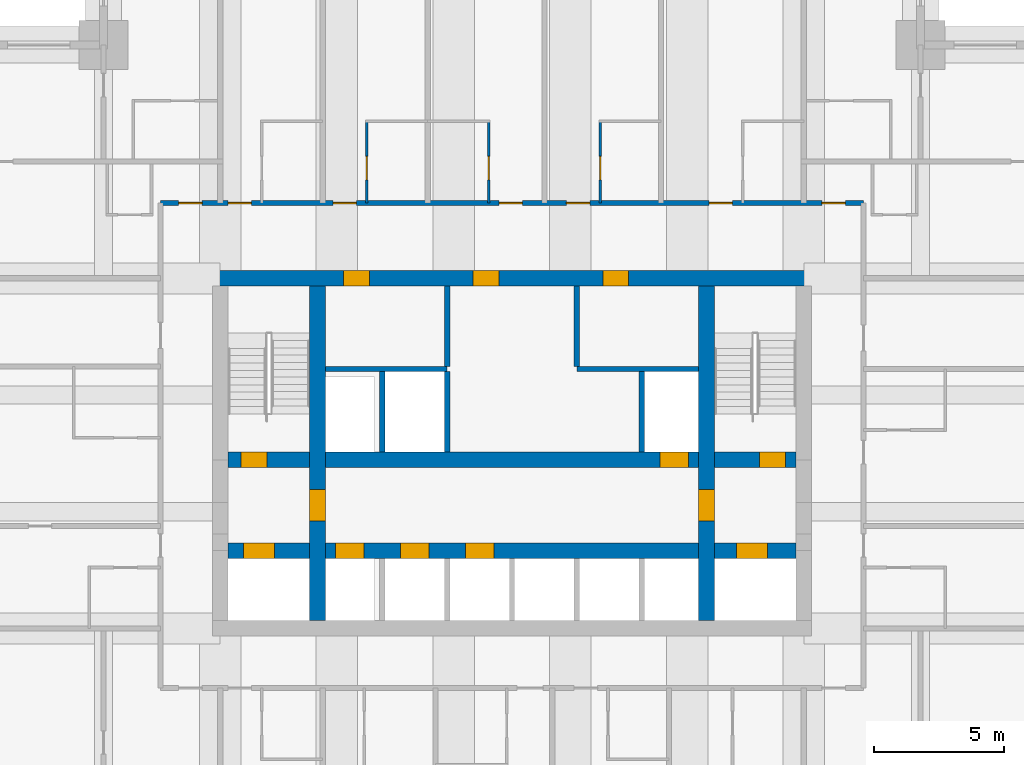
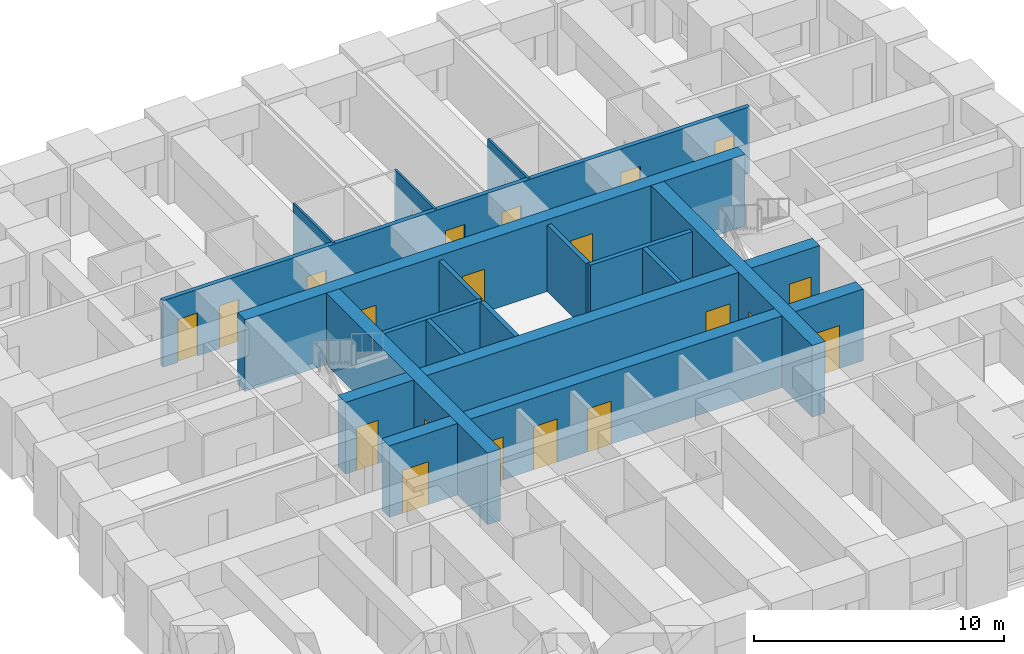
# One storey, part 4 of 8: 23 doors, 16 walls, 23 openings.
"""IFC4 building model written with IfcOpenShell, lengths in metres."""

from ifc_helpers import new_model, si_unit, direction, frame, frame_2d, origin, place, context, subcontext, project, spatial, rectangle, extrude, material, layer, layer_set, type_object, element, fill, save


model = new_model("IFC4")

# Units and contexts
model_context = context("Model", 3, precision=1e-05, world=origin(), true_north=direction((0.0, 1.0)))
body_context = subcontext(model_context, "Body", "Model", "MODEL_VIEW")
ifc_project = project(units=[si_unit("LENGTHUNIT", "METRE"), si_unit("AREAUNIT", "SQUARE_METRE"), si_unit("VOLUMEUNIT", "CUBIC_METRE"), si_unit("PLANEANGLEUNIT", "RADIAN"), si_unit("MASSUNIT", "GRAM", prefix="KILO")], contexts=[model_context])

# Site, building, storey
site_placement = place(None, origin())
site = spatial("IfcSite", under=ifc_project, at=site_placement, CompositionType="ELEMENT")
building_placement = place(site_placement, origin())
building = spatial("IfcBuilding", under=site, at=building_placement, Name="Kilele Tower Hotel", CompositionType="ELEMENT")
storey_placement = place(building_placement, frame((0.0, 0.0, 57.699951171875)))
storey = spatial("IfcBuildingStorey", under=building, at=storey_placement, Name="L13", CompositionType="ELEMENT", Elevation=57.699951171875)

# Wall, opening, door
ifc_material_1 = material(Name="Moisture-resistant board")
ifc_layer_1 = layer(ifc_material_1, 0.10009765625)
ifc_layer_set_1 = layer_set([ifc_layer_1], Name="Moisture-resistant board")
wall_type_1 = type_object("IfcWallType", Name="Bathroom partition 100", PredefinedType="PLUMBINGWALL", material=ifc_layer_set_1)
wall_1_placement = place(storey_placement, frame((19.14990234375, 29.89990234375, 0.0), z_axis=(0.0, 0.0, 1.0), x_axis=(0.0, 1.0, 0.0)))
wall_1 = element("IfcWall", 1, at=wall_1_placement, inside=storey, type_object=wall_type_1, Name="Bathroom partition 100 L13", PredefinedType="PLUMBINGWALL", context=body_context, shape_type="SweptSolid", body=[
    extrude(rectangle(XDim=3.2001953125, YDim=0.10009765625, at=frame_2d((1.60009765625, 0.0))), origin(), (0.0, 0.0, 1.0), 3.25),
])
opening_1_placement = place(wall_1_placement, frame((0.89990234375, 0.0, 0.0)))
opening_1 = element("IfcOpeningElement", 2, at=opening_1_placement, cuts=wall_1, Name="Opening D2A", PredefinedType="OPENING", context=body_context, shape_type="SweptSolid", body=[
    extrude(rectangle(XDim=0.89990234375, YDim=2.10009765625, at=frame_2d((0.449951171875, 1.050048828125))), frame((0.0, 0.06005859375, 0.0), z_axis=(0.0, -1.0, 0.0), x_axis=(1.0, 0.0, 0.0)), (0.0, 0.0, 1.0), 0.1201171875),
])
ifc_material_2 = material(Name="Timber door leaf in hardwood frame", Category="wood")
door_type_1 = type_object("IfcDoorType", Name="Bathroom door 900", OperationType="SINGLE_SWING_LEFT", PredefinedType="DOOR", material=ifc_material_2)
door_1_placement = place(opening_1_placement, origin())
door_1 = element("IfcDoor", 3, at=door_1_placement, inside=storey, type_object=door_type_1, Name="Bathroom door 1310B", OperationType="SINGLE_SWING_LEFT", OverallHeight=2.10009765625, OverallWidth=0.89990234375, PredefinedType="DOOR", context=body_context, shape_type="SweptSolid", body=[
    extrude(rectangle(XDim=0.89990234375, YDim=2.10009765625, at=frame_2d((0.449951171875, 1.050048828125))), frame((0.0, 0.02490234375, 0.0), z_axis=(0.0, -1.0, 0.0), x_axis=(1.0, 0.0, 0.0)), (0.0, 0.0, 1.0), 0.050048828125),
])
fill(opening_1, door_1)

wall_2_placement = place(storey_placement, frame((23.85009765625, 29.89990234375, 0.0), z_axis=(0.0, 0.0, 1.0), x_axis=(0.0, 1.0, 0.0)))
wall_2 = element("IfcWall", 4, at=wall_2_placement, inside=storey, type_object=wall_type_1, Name="Bathroom partition 100 L13", PredefinedType="PLUMBINGWALL", context=body_context, shape_type="SweptSolid", body=[
    extrude(rectangle(XDim=3.2001953125, YDim=0.10009765625, at=frame_2d((1.60009765625, 0.0))), origin(), (0.0, 0.0, 1.0), 3.25),
])
opening_2_placement = place(wall_2_placement, frame((1.7998046875, 0.0, 0.0), z_axis=(0.0, 0.0, 1.0), x_axis=(-1.0, 0.0, 0.0)))
opening_2 = element("IfcOpeningElement", 5, at=opening_2_placement, cuts=wall_2, Name="Opening D2A", PredefinedType="OPENING", context=body_context, shape_type="SweptSolid", body=[
    extrude(rectangle(XDim=0.89990234375, YDim=2.10009765625, at=frame_2d((0.449951171875, 1.050048828125))), frame((0.0, 0.06005859375, 0.0), z_axis=(0.0, -1.0, 0.0), x_axis=(1.0, 0.0, 0.0)), (0.0, 0.0, 1.0), 0.1201171875),
])
door_2_placement = place(opening_2_placement, origin())
door_2 = element("IfcDoor", 6, at=door_2_placement, inside=storey, type_object=door_type_1, Name="Bathroom door 1311B", OperationType="SINGLE_SWING_RIGHT", OverallHeight=2.10009765625, OverallWidth=0.89990234375, PredefinedType="DOOR", context=body_context, shape_type="SweptSolid", body=[
    extrude(rectangle(XDim=0.89990234375, YDim=2.10009765625, at=frame_2d((0.449951171875, 1.050048828125))), frame((0.0, 0.02490234375, 0.0), z_axis=(0.0, -1.0, 0.0), x_axis=(1.0, 0.0, 0.0)), (0.0, 0.0, 1.0), 0.050048828125),
])
fill(opening_2, door_2)

wall_3_placement = place(storey_placement, frame((28.14990234375, 29.89990234375, 0.0), z_axis=(0.0, 0.0, 1.0), x_axis=(0.0, 1.0, 0.0)))
wall_3 = element("IfcWall", 7, at=wall_3_placement, inside=storey, type_object=wall_type_1, Name="Bathroom partition 100 L13", PredefinedType="PLUMBINGWALL", context=body_context, shape_type="SweptSolid", body=[
    extrude(rectangle(XDim=3.2001953125, YDim=0.10009765625, at=frame_2d((1.60009765625, 0.0))), origin(), (0.0, 0.0, 1.0), 3.25),
])
opening_3_placement = place(wall_3_placement, frame((0.89990234375, 0.0, 0.0)))
opening_3 = element("IfcOpeningElement", 8, at=opening_3_placement, cuts=wall_3, Name="Opening D2A", PredefinedType="OPENING", context=body_context, shape_type="SweptSolid", body=[
    extrude(rectangle(XDim=0.89990234375, YDim=2.10009765625, at=frame_2d((0.449951171875, 1.050048828125))), frame((0.0, 0.06005859375, 0.0), z_axis=(0.0, -1.0, 0.0), x_axis=(1.0, 0.0, 0.0)), (0.0, 0.0, 1.0), 0.1201171875),
])
door_3_placement = place(opening_3_placement, origin())
door_3 = element("IfcDoor", 9, at=door_3_placement, inside=storey, type_object=door_type_1, Name="Bathroom door 1312B", OperationType="SINGLE_SWING_LEFT", OverallHeight=2.10009765625, OverallWidth=0.89990234375, PredefinedType="DOOR", context=body_context, shape_type="SweptSolid", body=[
    extrude(rectangle(XDim=0.89990234375, YDim=2.10009765625, at=frame_2d((0.449951171875, 1.050048828125))), frame((0.0, 0.02490234375, 0.0), z_axis=(0.0, -1.0, 0.0), x_axis=(1.0, 0.0, 0.0)), (0.0, 0.0, 1.0), 0.050048828125),
])
fill(opening_3, door_3)

# Wall, openings, doors
ifc_material_3 = material(Name="Concrete C60/75", Category="concrete")
ifc_layer_2 = layer(ifc_material_3, 0.60009765625)
ifc_layer_set_2 = layer_set([ifc_layer_2], Name="Concrete C60/75")
wall_type_2 = type_object("IfcWallType", Name="Core wall 600 C60/75", PredefinedType="SHEAR", material=ifc_layer_set_2)
wall_4_placement = place(storey_placement, frame((36.300048828125, 27.0, 0.0), z_axis=(0.0, 0.0, 1.0), x_axis=(-1.0, 0.0, 0.0)))
wall_4 = element("IfcWall", 10, at=wall_4_placement, inside=storey, type_object=wall_type_2, Name="Core wall N L13", PredefinedType="SHEAR", context=body_context, shape_type="SweptSolid", body=[
    extrude(rectangle(XDim=23.10009765625, YDim=0.60009765625, at=frame_2d((11.550048828125, 0.0))), origin(), (0.0, 0.0, 1.0), 3.5),
])
opening_4_placement = place(wall_4_placement, frame((17.050048828125, 0.0, 0.0)))
opening_4 = element("IfcOpeningElement", 11, at=opening_4_placement, cuts=wall_4, Name="Opening D6", PredefinedType="OPENING", context=body_context, shape_type="SweptSolid", body=[
    extrude(rectangle(XDim=1.0, YDim=2.10009765625, at=frame_2d((0.5, 1.050048828125))), frame((0.0, 0.31005859375, 0.0), z_axis=(0.0, -1.0, 0.0), x_axis=(1.0, 0.0, 0.0)), (0.0, 0.0, 1.0), 0.6201171875),
])
opening_5_placement = place(wall_4_placement, frame((12.050048828125, 0.0, 0.0)))
opening_5 = element("IfcOpeningElement", 12, at=opening_5_placement, cuts=wall_4, Name="Opening D6", PredefinedType="OPENING", context=body_context, shape_type="SweptSolid", body=[
    extrude(rectangle(XDim=1.0, YDim=2.10009765625, at=frame_2d((0.5, 1.050048828125))), frame((0.0, 0.31005859375, 0.0), z_axis=(0.0, -1.0, 0.0), x_axis=(1.0, 0.0, 0.0)), (0.0, 0.0, 1.0), 0.6201171875),
])
opening_6_placement = place(wall_4_placement, frame((7.050048828125, 0.0, 0.0)))
opening_6 = element("IfcOpeningElement", 13, at=opening_6_placement, cuts=wall_4, Name="Opening D6", PredefinedType="OPENING", context=body_context, shape_type="SweptSolid", body=[
    extrude(rectangle(XDim=1.0, YDim=2.10009765625, at=frame_2d((0.5, 1.050048828125))), frame((0.0, 0.31005859375, 0.0), z_axis=(0.0, -1.0, 0.0), x_axis=(1.0, 0.0, 0.0)), (0.0, 0.0, 1.0), 0.6201171875),
])
ifc_material_4 = material(Name="Timber door leaf in hardwood frame", Category="wood")
door_type_2 = type_object("IfcDoorType", Name="Riser door 1000", OperationType="SINGLE_SWING_LEFT", PredefinedType="DOOR", material=ifc_material_4)
door_4_placement = place(opening_4_placement, origin())
door_4 = element("IfcDoor", 14, at=door_4_placement, inside=storey, type_object=door_type_2, Name="Service riser door L13", OperationType="SINGLE_SWING_RIGHT", OverallHeight=2.10009765625, OverallWidth=1.0, PredefinedType="DOOR", context=body_context, shape_type="SweptSolid", body=[
    extrude(rectangle(XDim=1.0, YDim=2.10009765625, at=frame_2d((0.5, 1.050048828125))), frame((0.0, 0.2998046875, 0.0), z_axis=(0.0, -1.0, 0.0), x_axis=(1.0, 0.0, 0.0)), (0.0, 0.0, 1.0), 0.599609375),
])
fill(opening_4, door_4)
door_5_placement = place(opening_5_placement, origin())
door_5 = element("IfcDoor", 15, at=door_5_placement, inside=storey, type_object=door_type_2, Name="Housekeeping linen room door L13", OperationType="SINGLE_SWING_RIGHT", OverallHeight=2.10009765625, OverallWidth=1.0, PredefinedType="DOOR", context=body_context, shape_type="SweptSolid", body=[
    extrude(rectangle(XDim=1.0, YDim=2.10009765625, at=frame_2d((0.5, 1.050048828125))), frame((0.0, 0.2998046875, 0.0), z_axis=(0.0, -1.0, 0.0), x_axis=(1.0, 0.0, 0.0)), (0.0, 0.0, 1.0), 0.599609375),
])
fill(opening_5, door_5)
door_6_placement = place(opening_6_placement, origin())
door_6 = element("IfcDoor", 16, at=door_6_placement, inside=storey, type_object=door_type_2, Name="Electrical riser door L13", OperationType="SINGLE_SWING_RIGHT", OverallHeight=2.10009765625, OverallWidth=1.0, PredefinedType="DOOR", context=body_context, shape_type="SweptSolid", body=[
    extrude(rectangle(XDim=1.0, YDim=2.10009765625, at=frame_2d((0.5, 1.050048828125))), frame((0.0, 0.2998046875, 0.0), z_axis=(0.0, -1.0, 0.0), x_axis=(1.0, 0.0, 0.0)), (0.0, 0.0, 1.0), 0.599609375),
])
fill(opening_6, door_6)

# Wall, opening, door
wall_5_placement = place(storey_placement, frame((17.25, 13.800048828125, 0.0), z_axis=(0.0, 0.0, 1.0), x_axis=(0.0, 1.0, 0.0)))
wall_5 = element("IfcWall", 17, at=wall_5_placement, inside=storey, type_object=wall_type_2, Name="Core wall IW L13", PredefinedType="SHEAR", context=body_context, shape_type="SweptSolid", body=[
    extrude(rectangle(XDim=12.89990234375, YDim=0.60009765625, at=frame_2d((6.449951171875, 0.0))), origin(), (0.0, 0.0, 1.0), 3.5),
])
opening_7_placement = place(wall_5_placement, frame((3.85009765625, 0.0, 0.0)))
opening_7 = element("IfcOpeningElement", 18, at=opening_7_placement, cuts=wall_5, Name="Opening D4", PredefinedType="OPENING", context=body_context, shape_type="SweptSolid", body=[
    extrude(rectangle(XDim=1.199951171875, YDim=2.10009765625, at=frame_2d((0.60009765625, 1.050048828125))), frame((0.0, 0.31005859375, 0.0), z_axis=(0.0, -1.0, 0.0), x_axis=(1.0, 0.0, 0.0)), (0.0, 0.0, 1.0), 0.6201171875),
])
ifc_material_5 = material(Name="Timber door leaf in hardwood frame", Category="wood")
door_type_3 = type_object("IfcDoorType", Name="Firefighting lobby door 1200", OperationType="SINGLE_SWING_LEFT", PredefinedType="DOOR", material=ifc_material_5)
door_7_placement = place(opening_7_placement, origin())
door_7 = element("IfcDoor", 19, at=door_7_placement, inside=storey, type_object=door_type_3, Name="Lobby door L13", OperationType="SINGLE_SWING_LEFT", OverallHeight=2.10009765625, OverallWidth=1.199951171875, PredefinedType="DOOR", context=body_context, shape_type="SweptSolid", body=[
    extrude(rectangle(XDim=1.199951171875, YDim=2.10009765625, at=frame_2d((0.60009765625, 1.050048828125))), frame((0.0, 0.2998046875, 0.0), z_axis=(0.0, -1.0, 0.0), x_axis=(1.0, 0.0, 0.0)), (0.0, 0.0, 1.0), 0.599609375),
])
fill(opening_7, door_7)

wall_6_placement = place(storey_placement, frame((32.25, 13.800048828125, 0.0), z_axis=(0.0, 0.0, 1.0), x_axis=(0.0, 1.0, 0.0)))
wall_6 = element("IfcWall", 20, at=wall_6_placement, inside=storey, type_object=wall_type_2, Name="Core wall IE L13", PredefinedType="SHEAR", context=body_context, shape_type="SweptSolid", body=[
    extrude(rectangle(XDim=12.89990234375, YDim=0.60009765625, at=frame_2d((6.449951171875, 0.0))), origin(), (0.0, 0.0, 1.0), 3.5),
])
opening_8_placement = place(wall_6_placement, frame((5.050048828125, 0.0, 0.0), z_axis=(0.0, 0.0, 1.0), x_axis=(-1.0, 0.0, 0.0)))
opening_8 = element("IfcOpeningElement", 21, at=opening_8_placement, cuts=wall_6, Name="Opening D4", PredefinedType="OPENING", context=body_context, shape_type="SweptSolid", body=[
    extrude(rectangle(XDim=1.199951171875, YDim=2.10009765625, at=frame_2d((0.60009765625, 1.050048828125))), frame((0.0, 0.31005859375, 0.0), z_axis=(0.0, -1.0, 0.0), x_axis=(1.0, 0.0, 0.0)), (0.0, 0.0, 1.0), 0.6201171875),
])
door_8_placement = place(opening_8_placement, origin())
door_8 = element("IfcDoor", 22, at=door_8_placement, inside=storey, type_object=door_type_3, Name="Lobby door L13", OperationType="SINGLE_SWING_RIGHT", OverallHeight=2.10009765625, OverallWidth=1.199951171875, PredefinedType="DOOR", context=body_context, shape_type="SweptSolid", body=[
    extrude(rectangle(XDim=1.199951171875, YDim=2.10009765625, at=frame_2d((0.60009765625, 1.050048828125))), frame((0.0, 0.2998046875, 0.0), z_axis=(0.0, -1.0, 0.0), x_axis=(1.0, 0.0, 0.0)), (0.0, 0.0, 1.0), 0.599609375),
])
fill(opening_8, door_8)

# Wall, openings, doors
wall_7_placement = place(storey_placement, frame((13.800048828125, 16.5, 0.0), z_axis=(0.0, 0.0, 1.0), x_axis=(1.0, 0.0, 0.0)))
wall_7 = element("IfcWall", 23, at=wall_7_placement, inside=storey, type_object=wall_type_2, Name="Core wall LS L13", PredefinedType="SHEAR", context=body_context, shape_type="SweptSolid", body=[
    extrude(rectangle(XDim=21.89990234375, YDim=0.60009765625, at=frame_2d((10.949951171875, 0.0))), origin(), (0.0, 0.0, 1.0), 3.5),
])
opening_9_placement = place(wall_7_placement, frame((4.14990234375, 0.0, 0.0)))
opening_9 = element("IfcOpeningElement", 24, at=opening_9_placement, cuts=wall_7, Name="Opening LD1", PredefinedType="OPENING", context=body_context, shape_type="SweptSolid", body=[
    extrude(rectangle(XDim=1.10009765625, YDim=2.10009765625, at=frame_2d((0.550048828125, 1.050048828125))), frame((0.0, 0.31005859375, 0.0), z_axis=(0.0, -1.0, 0.0), x_axis=(1.0, 0.0, 0.0)), (0.0, 0.0, 1.0), 0.6201171875),
])
opening_10_placement = place(wall_7_placement, frame((6.64990234375, 0.0, 0.0)))
opening_10 = element("IfcOpeningElement", 25, at=opening_10_placement, cuts=wall_7, Name="Opening LD1", PredefinedType="OPENING", context=body_context, shape_type="SweptSolid", body=[
    extrude(rectangle(XDim=1.10009765625, YDim=2.10009765625, at=frame_2d((0.550048828125, 1.050048828125))), frame((0.0, 0.31005859375, 0.0), z_axis=(0.0, -1.0, 0.0), x_axis=(1.0, 0.0, 0.0)), (0.0, 0.0, 1.0), 0.6201171875),
])
opening_11_placement = place(wall_7_placement, frame((9.14990234375, 0.0, 0.0)))
opening_11 = element("IfcOpeningElement", 26, at=opening_11_placement, cuts=wall_7, Name="Opening LD1", PredefinedType="OPENING", context=body_context, shape_type="SweptSolid", body=[
    extrude(rectangle(XDim=1.10009765625, YDim=2.10009765625, at=frame_2d((0.550048828125, 1.050048828125))), frame((0.0, 0.31005859375, 0.0), z_axis=(0.0, -1.0, 0.0), x_axis=(1.0, 0.0, 0.0)), (0.0, 0.0, 1.0), 0.6201171875),
])
opening_12_placement = place(wall_7_placement, frame((0.60009765625, 0.0, 0.0)))
opening_12 = element("IfcOpeningElement", 27, at=opening_12_placement, cuts=wall_7, Name="Opening LD2", PredefinedType="OPENING", context=body_context, shape_type="SweptSolid", body=[
    extrude(rectangle(XDim=1.199951171875, YDim=2.10009765625, at=frame_2d((0.60009765625, 1.050048828125))), frame((0.0, 0.31005859375, 0.0), z_axis=(0.0, -1.0, 0.0), x_axis=(1.0, 0.0, 0.0)), (0.0, 0.0, 1.0), 0.6201171875),
])
opening_13_placement = place(wall_7_placement, frame((19.60009765625, 0.0, 0.0)))
opening_13 = element("IfcOpeningElement", 28, at=opening_13_placement, cuts=wall_7, Name="Opening LD2", PredefinedType="OPENING", context=body_context, shape_type="SweptSolid", body=[
    extrude(rectangle(XDim=1.199951171875, YDim=2.10009765625, at=frame_2d((0.60009765625, 1.050048828125))), frame((0.0, 0.31005859375, 0.0), z_axis=(0.0, -1.0, 0.0), x_axis=(1.0, 0.0, 0.0)), (0.0, 0.0, 1.0), 0.6201171875),
])
ifc_material_6 = material(Name="Steel lift landing door", Category="steel")
door_type_4 = type_object("IfcDoorType", Name="Firefighting lift landing door 1200", OperationType="SLIDING_TO_LEFT", PredefinedType="DOOR", material=ifc_material_6)
door_9_placement = place(opening_12_placement, origin())
door_9 = element("IfcDoor", 29, at=door_9_placement, inside=storey, type_object=door_type_4, Name="Landing door FFW L13", OperationType="SLIDING_TO_LEFT", OverallHeight=2.10009765625, OverallWidth=1.199951171875, PredefinedType="DOOR", context=body_context, shape_type="SweptSolid", body=[
    extrude(rectangle(XDim=1.199951171875, YDim=2.10009765625, at=frame_2d((0.60009765625, 1.050048828125))), frame((0.0, 0.2998046875, 0.0), z_axis=(0.0, -1.0, 0.0), x_axis=(1.0, 0.0, 0.0)), (0.0, 0.0, 1.0), 0.599609375),
])
fill(opening_12, door_9)
door_10_placement = place(opening_13_placement, origin())
door_10 = element("IfcDoor", 30, at=door_10_placement, inside=storey, type_object=door_type_4, Name="Landing door FFE L13", OperationType="SLIDING_TO_LEFT", OverallHeight=2.10009765625, OverallWidth=1.199951171875, PredefinedType="DOOR", context=body_context, shape_type="SweptSolid", body=[
    extrude(rectangle(XDim=1.199951171875, YDim=2.10009765625, at=frame_2d((0.60009765625, 1.050048828125))), frame((0.0, 0.2998046875, 0.0), z_axis=(0.0, -1.0, 0.0), x_axis=(1.0, 0.0, 0.0)), (0.0, 0.0, 1.0), 0.599609375),
])
fill(opening_13, door_10)
ifc_material_7 = material(Name="Steel lift landing door", Category="steel")
door_type_5 = type_object("IfcDoorType", Name="Lift landing door 1100", OperationType="SLIDING_TO_LEFT", PredefinedType="DOOR", material=ifc_material_7)
door_11_placement = place(opening_9_placement, origin())
door_11 = element("IfcDoor", 31, at=door_11_placement, inside=storey, type_object=door_type_5, Name="Landing door L1 L13", OperationType="SLIDING_TO_LEFT", OverallHeight=2.10009765625, OverallWidth=1.10009765625, PredefinedType="DOOR", context=body_context, shape_type="SweptSolid", body=[
    extrude(rectangle(XDim=1.10009765625, YDim=2.10009765625, at=frame_2d((0.550048828125, 1.050048828125))), frame((0.0, 0.2998046875, 0.0), z_axis=(0.0, -1.0, 0.0), x_axis=(1.0, 0.0, 0.0)), (0.0, 0.0, 1.0), 0.599609375),
])
fill(opening_9, door_11)
door_12_placement = place(opening_10_placement, origin())
door_12 = element("IfcDoor", 32, at=door_12_placement, inside=storey, type_object=door_type_5, Name="Landing door L2 L13", OperationType="SLIDING_TO_LEFT", OverallHeight=2.10009765625, OverallWidth=1.10009765625, PredefinedType="DOOR", context=body_context, shape_type="SweptSolid", body=[
    extrude(rectangle(XDim=1.10009765625, YDim=2.10009765625, at=frame_2d((0.550048828125, 1.050048828125))), frame((0.0, 0.2998046875, 0.0), z_axis=(0.0, -1.0, 0.0), x_axis=(1.0, 0.0, 0.0)), (0.0, 0.0, 1.0), 0.599609375),
])
fill(opening_10, door_12)
door_13_placement = place(opening_11_placement, origin())
door_13 = element("IfcDoor", 33, at=door_13_placement, inside=storey, type_object=door_type_5, Name="Landing door L3 L13", OperationType="SLIDING_TO_LEFT", OverallHeight=2.10009765625, OverallWidth=1.10009765625, PredefinedType="DOOR", context=body_context, shape_type="SweptSolid", body=[
    extrude(rectangle(XDim=1.10009765625, YDim=2.10009765625, at=frame_2d((0.550048828125, 1.050048828125))), frame((0.0, 0.2998046875, 0.0), z_axis=(0.0, -1.0, 0.0), x_axis=(1.0, 0.0, 0.0)), (0.0, 0.0, 1.0), 0.599609375),
])
fill(opening_11, door_13)

wall_8_placement = place(storey_placement, frame((13.800048828125, 20.0, 0.0), z_axis=(0.0, 0.0, 1.0), x_axis=(1.0, 0.0, 0.0)))
wall_8 = element("IfcWall", 34, at=wall_8_placement, inside=storey, type_object=wall_type_2, Name="Core wall LN L13", PredefinedType="SHEAR", context=body_context, shape_type="SweptSolid", body=[
    extrude(rectangle(XDim=21.89990234375, YDim=0.60009765625, at=frame_2d((10.949951171875, 0.0))), origin(), (0.0, 0.0, 1.0), 3.5),
])
opening_14_placement = place(wall_8_placement, frame((0.5, 0.0, 0.0)))
opening_14 = element("IfcOpeningElement", 35, at=opening_14_placement, cuts=wall_8, Name="Opening D5", PredefinedType="OPENING", context=body_context, shape_type="SweptSolid", body=[
    extrude(rectangle(XDim=1.0, YDim=2.10009765625, at=frame_2d((0.5, 1.050048828125))), frame((0.0, 0.31005859375, 0.0), z_axis=(0.0, -1.0, 0.0), x_axis=(1.0, 0.0, 0.0)), (0.0, 0.0, 1.0), 0.6201171875),
])
opening_15_placement = place(wall_8_placement, frame((20.5, 0.0, 0.0)))
opening_15 = element("IfcOpeningElement", 36, at=opening_15_placement, cuts=wall_8, Name="Opening D5", PredefinedType="OPENING", context=body_context, shape_type="SweptSolid", body=[
    extrude(rectangle(XDim=1.0, YDim=2.10009765625, at=frame_2d((0.5, 1.050048828125))), frame((0.0, 0.31005859375, 0.0), z_axis=(0.0, -1.0, 0.0), x_axis=(1.0, 0.0, 0.0)), (0.0, 0.0, 1.0), 0.6201171875),
])
opening_16_placement = place(wall_8_placement, frame((16.64990234375, 0.0, 0.0)))
opening_16 = element("IfcOpeningElement", 37, at=opening_16_placement, cuts=wall_8, Name="Opening LD1", PredefinedType="OPENING", context=body_context, shape_type="SweptSolid", body=[
    extrude(rectangle(XDim=1.10009765625, YDim=2.10009765625, at=frame_2d((0.550048828125, 1.050048828125))), frame((0.0, 0.31005859375, 0.0), z_axis=(0.0, -1.0, 0.0), x_axis=(1.0, 0.0, 0.0)), (0.0, 0.0, 1.0), 0.6201171875),
])
door_14_placement = place(opening_16_placement, origin())
door_14 = element("IfcDoor", 38, at=door_14_placement, inside=storey, type_object=door_type_5, Name="Landing door G1 L13", OperationType="SLIDING_TO_LEFT", OverallHeight=2.10009765625, OverallWidth=1.10009765625, PredefinedType="DOOR", context=body_context, shape_type="SweptSolid", body=[
    extrude(rectangle(XDim=1.10009765625, YDim=2.10009765625, at=frame_2d((0.550048828125, 1.050048828125))), frame((0.0, 0.2998046875, 0.0), z_axis=(0.0, -1.0, 0.0), x_axis=(1.0, 0.0, 0.0)), (0.0, 0.0, 1.0), 0.599609375),
])
fill(opening_16, door_14)
ifc_material_8 = material(Name="Timber door leaf in hardwood frame", Category="wood")
door_type_6 = type_object("IfcDoorType", Name="Stair door 1000", OperationType="SINGLE_SWING_LEFT", PredefinedType="DOOR", material=ifc_material_8)
door_15_placement = place(opening_14_placement, origin())
door_15 = element("IfcDoor", 39, at=door_15_placement, inside=storey, type_object=door_type_6, Name="Stair 1 door L13", OperationType="SINGLE_SWING_LEFT", OverallHeight=2.10009765625, OverallWidth=1.0, PredefinedType="DOOR", context=body_context, shape_type="SweptSolid", body=[
    extrude(rectangle(XDim=1.0, YDim=2.10009765625, at=frame_2d((0.5, 1.050048828125))), frame((0.0, 0.2998046875, 0.0), z_axis=(0.0, -1.0, 0.0), x_axis=(1.0, 0.0, 0.0)), (0.0, 0.0, 1.0), 0.599609375),
])
fill(opening_14, door_15)
door_16_placement = place(opening_15_placement, origin())
door_16 = element("IfcDoor", 40, at=door_16_placement, inside=storey, type_object=door_type_6, Name="Stair 2 door L13", OperationType="SINGLE_SWING_RIGHT", OverallHeight=2.10009765625, OverallWidth=1.0, PredefinedType="DOOR", context=body_context, shape_type="SweptSolid", body=[
    extrude(rectangle(XDim=1.0, YDim=2.10009765625, at=frame_2d((0.5, 1.050048828125))), frame((0.0, 0.2998046875, 0.0), z_axis=(0.0, -1.0, 0.0), x_axis=(1.0, 0.0, 0.0)), (0.0, 0.0, 1.0), 0.599609375),
])
fill(opening_15, door_16)

ifc_material_9 = material(Name="Blockwork, plastered both sides", Category="masonry")
ifc_layer_3 = layer(ifc_material_9, 0.199951171875)
ifc_layer_set_3 = layer_set([ifc_layer_3], Name="Blockwork, plastered both sides")
wall_type_3 = type_object("IfcWallType", Name="Corridor wall 200", PredefinedType="PARTITIONING", material=ifc_layer_set_3)
wall_9_placement = place(storey_placement, frame((11.199951171875, 29.89990234375, 0.0), z_axis=(0.0, 0.0, 1.0), x_axis=(1.0, 0.0, 0.0)))
wall_9 = element("IfcWall", 41, at=wall_9_placement, inside=storey, type_object=wall_type_3, Name="Corridor wall 200 L13", PredefinedType="PARTITIONING", context=body_context, shape_type="SweptSolid", body=[
    extrude(rectangle(XDim=27.10009765625, YDim=0.199951171875, at=frame_2d((13.550048828125, 0.0))), origin(), (0.0, 0.0, 1.0), 3.25),
])
opening_17_placement = place(wall_9_placement, frame((2.60009765625, 0.0, 0.0)))
opening_17 = element("IfcOpeningElement", 42, at=opening_17_placement, cuts=wall_9, Name="Opening D1", PredefinedType="OPENING", context=body_context, shape_type="SweptSolid", body=[
    extrude(rectangle(XDim=0.89990234375, YDim=2.10009765625, at=frame_2d((0.449951171875, 1.050048828125))), frame((0.0, 0.10986328125, 0.0), z_axis=(0.0, -1.0, 0.0), x_axis=(1.0, 0.0, 0.0)), (0.0, 0.0, 1.0), 0.219970703125),
])
opening_18_placement = place(wall_9_placement, frame((6.64990234375, 0.0, 0.0)))
opening_18 = element("IfcOpeningElement", 43, at=opening_18_placement, cuts=wall_9, Name="Opening D1", PredefinedType="OPENING", context=body_context, shape_type="SweptSolid", body=[
    extrude(rectangle(XDim=0.89990234375, YDim=2.10009765625, at=frame_2d((0.449951171875, 1.050048828125))), frame((0.0, 0.10986328125, 0.0), z_axis=(0.0, -1.0, 0.0), x_axis=(1.0, 0.0, 0.0)), (0.0, 0.0, 1.0), 0.219970703125),
])
opening_19_placement = place(wall_9_placement, frame((13.050048828125, 0.0, 0.0)))
opening_19 = element("IfcOpeningElement", 44, at=opening_19_placement, cuts=wall_9, Name="Opening D1", PredefinedType="OPENING", context=body_context, shape_type="SweptSolid", body=[
    extrude(rectangle(XDim=0.89990234375, YDim=2.10009765625, at=frame_2d((0.449951171875, 1.050048828125))), frame((0.0, 0.10986328125, 0.0), z_axis=(0.0, -1.0, 0.0), x_axis=(1.0, 0.0, 0.0)), (0.0, 0.0, 1.0), 0.219970703125),
])
opening_20_placement = place(wall_9_placement, frame((15.64990234375, 0.0, 0.0)))
opening_20 = element("IfcOpeningElement", 45, at=opening_20_placement, cuts=wall_9, Name="Opening D1", PredefinedType="OPENING", context=body_context, shape_type="SweptSolid", body=[
    extrude(rectangle(XDim=0.89990234375, YDim=2.10009765625, at=frame_2d((0.449951171875, 1.050048828125))), frame((0.0, 0.10986328125, 0.0), z_axis=(0.0, -1.0, 0.0), x_axis=(1.0, 0.0, 0.0)), (0.0, 0.0, 1.0), 0.219970703125),
])
opening_21_placement = place(wall_9_placement, frame((21.14990234375, 0.0, 0.0)))
opening_21 = element("IfcOpeningElement", 46, at=opening_21_placement, cuts=wall_9, Name="Opening D1", PredefinedType="OPENING", context=body_context, shape_type="SweptSolid", body=[
    extrude(rectangle(XDim=0.89990234375, YDim=2.10009765625, at=frame_2d((0.449951171875, 1.050048828125))), frame((0.0, 0.10986328125, 0.0), z_axis=(0.0, -1.0, 0.0), x_axis=(1.0, 0.0, 0.0)), (0.0, 0.0, 1.0), 0.219970703125),
])
opening_22_placement = place(wall_9_placement, frame((25.5, 0.0, 0.0)))
opening_22 = element("IfcOpeningElement", 47, at=opening_22_placement, cuts=wall_9, Name="Opening D1", PredefinedType="OPENING", context=body_context, shape_type="SweptSolid", body=[
    extrude(rectangle(XDim=0.89990234375, YDim=2.10009765625, at=frame_2d((0.449951171875, 1.050048828125))), frame((0.0, 0.10986328125, 0.0), z_axis=(0.0, -1.0, 0.0), x_axis=(1.0, 0.0, 0.0)), (0.0, 0.0, 1.0), 0.219970703125),
])
opening_23_placement = place(wall_9_placement, frame((0.699951171875, 0.0, 0.0)))
opening_23 = element("IfcOpeningElement", 48, at=opening_23_placement, cuts=wall_9, Name="Opening D1", PredefinedType="OPENING", context=body_context, shape_type="SweptSolid", body=[
    extrude(rectangle(XDim=0.89990234375, YDim=2.10009765625, at=frame_2d((0.449951171875, 1.050048828125))), frame((0.0, 0.10986328125, 0.0), z_axis=(0.0, -1.0, 0.0), x_axis=(1.0, 0.0, 0.0)), (0.0, 0.0, 1.0), 0.219970703125),
])
ifc_material_10 = material(Name="Timber door leaf in hardwood frame", Category="wood")
door_type_7 = type_object("IfcDoorType", Name="Guest room entrance door 900", OperationType="SINGLE_SWING_LEFT", PredefinedType="DOOR", material=ifc_material_10)
door_17_placement = place(opening_17_placement, origin())
door_17 = element("IfcDoor", 49, at=door_17_placement, inside=storey, type_object=door_type_7, Name="Room entrance 1309", OperationType="SINGLE_SWING_LEFT", OverallHeight=2.10009765625, OverallWidth=0.89990234375, PredefinedType="DOOR", context=body_context, shape_type="SweptSolid", body=[
    extrude(rectangle(XDim=0.89990234375, YDim=2.10009765625, at=frame_2d((0.449951171875, 1.050048828125))), frame((0.0, 0.02490234375, 0.0), z_axis=(0.0, -1.0, 0.0), x_axis=(1.0, 0.0, 0.0)), (0.0, 0.0, 1.0), 0.050048828125),
])
fill(opening_17, door_17)
door_18_placement = place(opening_18_placement, origin())
door_18 = element("IfcDoor", 50, at=door_18_placement, inside=storey, type_object=door_type_7, Name="Room entrance 1310", OperationType="SINGLE_SWING_LEFT", OverallHeight=2.10009765625, OverallWidth=0.89990234375, PredefinedType="DOOR", context=body_context, shape_type="SweptSolid", body=[
    extrude(rectangle(XDim=0.89990234375, YDim=2.10009765625, at=frame_2d((0.449951171875, 1.050048828125))), frame((0.0, 0.02490234375, 0.0), z_axis=(0.0, -1.0, 0.0), x_axis=(1.0, 0.0, 0.0)), (0.0, 0.0, 1.0), 0.050048828125),
])
fill(opening_18, door_18)
door_19_placement = place(opening_19_placement, origin())
door_19 = element("IfcDoor", 51, at=door_19_placement, inside=storey, type_object=door_type_7, Name="Room entrance 1311", OperationType="SINGLE_SWING_LEFT", OverallHeight=2.10009765625, OverallWidth=0.89990234375, PredefinedType="DOOR", context=body_context, shape_type="SweptSolid", body=[
    extrude(rectangle(XDim=0.89990234375, YDim=2.10009765625, at=frame_2d((0.449951171875, 1.050048828125))), frame((0.0, 0.02490234375, 0.0), z_axis=(0.0, -1.0, 0.0), x_axis=(1.0, 0.0, 0.0)), (0.0, 0.0, 1.0), 0.050048828125),
])
fill(opening_19, door_19)
door_20_placement = place(opening_20_placement, origin())
door_20 = element("IfcDoor", 52, at=door_20_placement, inside=storey, type_object=door_type_7, Name="Room entrance 1312", OperationType="SINGLE_SWING_RIGHT", OverallHeight=2.10009765625, OverallWidth=0.89990234375, PredefinedType="DOOR", context=body_context, shape_type="SweptSolid", body=[
    extrude(rectangle(XDim=0.89990234375, YDim=2.10009765625, at=frame_2d((0.449951171875, 1.050048828125))), frame((0.0, 0.02490234375, 0.0), z_axis=(0.0, -1.0, 0.0), x_axis=(1.0, 0.0, 0.0)), (0.0, 0.0, 1.0), 0.050048828125),
])
fill(opening_20, door_20)
door_21_placement = place(opening_21_placement, origin())
door_21 = element("IfcDoor", 53, at=door_21_placement, inside=storey, type_object=door_type_7, Name="Room entrance 1313", OperationType="SINGLE_SWING_RIGHT", OverallHeight=2.10009765625, OverallWidth=0.89990234375, PredefinedType="DOOR", context=body_context, shape_type="SweptSolid", body=[
    extrude(rectangle(XDim=0.89990234375, YDim=2.10009765625, at=frame_2d((0.449951171875, 1.050048828125))), frame((0.0, 0.02490234375, 0.0), z_axis=(0.0, -1.0, 0.0), x_axis=(1.0, 0.0, 0.0)), (0.0, 0.0, 1.0), 0.050048828125),
])
fill(opening_21, door_21)
door_22_placement = place(opening_22_placement, origin())
door_22 = element("IfcDoor", 54, at=door_22_placement, inside=storey, type_object=door_type_7, Name="Room entrance 1323", OperationType="SINGLE_SWING_LEFT", OverallHeight=2.10009765625, OverallWidth=0.89990234375, PredefinedType="DOOR", context=body_context, shape_type="SweptSolid", body=[
    extrude(rectangle(XDim=0.89990234375, YDim=2.10009765625, at=frame_2d((0.449951171875, 1.050048828125))), frame((0.0, 0.02490234375, 0.0), z_axis=(0.0, -1.0, 0.0), x_axis=(1.0, 0.0, 0.0)), (0.0, 0.0, 1.0), 0.050048828125),
])
fill(opening_22, door_22)
door_23_placement = place(opening_23_placement, origin())
door_23 = element("IfcDoor", 55, at=door_23_placement, inside=storey, type_object=door_type_7, Name="Room entrance 1326", OperationType="SINGLE_SWING_RIGHT", OverallHeight=2.10009765625, OverallWidth=0.89990234375, PredefinedType="DOOR", context=body_context, shape_type="SweptSolid", body=[
    extrude(rectangle(XDim=0.89990234375, YDim=2.10009765625, at=frame_2d((0.449951171875, 1.050048828125))), frame((0.0, 0.02490234375, 0.0), z_axis=(0.0, -1.0, 0.0), x_axis=(1.0, 0.0, 0.0)), (0.0, 0.0, 1.0), 0.050048828125),
])
fill(opening_23, door_23)

# Walls
ifc_material_11 = material(Name="Blockwork, fire-rated", Category="masonry")
ifc_layer_4 = layer(ifc_material_11, 0.199951171875)
ifc_layer_set_4 = layer_set([ifc_layer_4], Name="Blockwork, fire-rated")
wall_type_4 = type_object("IfcWallType", Name="Shaft wall 200", PredefinedType="PARTITIONING", material=ifc_layer_set_4)
for number, where, z_axis, x_axis, name in (
    (56, (19.75, 20.300048828125, 0.0), (0.0, 0.0, 1.0), (0.0, 1.0, 0.0), "Shaft wall 200 L13"),
    (57, (22.25, 20.300048828125, 0.0), (0.0, 0.0, 1.0), (0.0, 1.0, 0.0), "Shaft wall 200 L13"),
    (58, (29.75, 20.300048828125, 0.0), (0.0, 0.0, 1.0), (0.0, 1.0, 0.0), "Shaft wall 200 L13"),
):
    element("IfcWall", number, at=place(storey_placement, frame(where, z_axis=z_axis, x_axis=x_axis)), inside=storey, type_object=wall_type_4, Name=name, PredefinedType="PARTITIONING", context=body_context, shape_type="SweptSolid", body=[
        extrude(rectangle(XDim=3.099853515625, YDim=0.199951171875, at=frame_2d((1.5498046875, 0.0))), origin(), (0.0, 0.0, 1.0), 3.25),
    ])
for number, where, z_axis, x_axis, name in (
    (59, (17.550048828125, 23.5, 0.0), (0.0, 0.0, 1.0), (1.0, 0.0, 0.0), "Shaft wall 200 L13"),
    (60, (27.25, 23.5, 0.0), (0.0, 0.0, 1.0), (1.0, 0.0, 0.0), "Shaft wall 200 L13"),
):
    element("IfcWall", number, at=place(storey_placement, frame(where, z_axis=z_axis, x_axis=x_axis)), inside=storey, type_object=wall_type_4, Name=name, PredefinedType="PARTITIONING", context=body_context, shape_type="SweptSolid", body=[
        extrude(rectangle(XDim=4.699951171875, YDim=0.199951171875, at=frame_2d((2.35009765625, 0.0))), origin(), (0.0, 0.0, 1.0), 3.25),
    ])
for number, where, z_axis, x_axis, name in (
    (61, (22.25, 23.60009765625, 0.0), (0.0, 0.0, 1.0), (0.0, 1.0, 0.0), "Shaft wall 200 L13"),
    (62, (27.25, 23.60009765625, 0.0), (0.0, 0.0, 1.0), (0.0, 1.0, 0.0), "Shaft wall 200 L13"),
):
    element("IfcWall", number, at=place(storey_placement, frame(where, z_axis=z_axis, x_axis=x_axis)), inside=storey, type_object=wall_type_4, Name=name, PredefinedType="PARTITIONING", context=body_context, shape_type="SweptSolid", body=[
        extrude(rectangle(XDim=3.099853515625, YDim=0.199951171875, at=frame_2d((1.5498046875, 0.0))), origin(), (0.0, 0.0, 1.0), 3.25),
    ])

save(model, "model.ifc")
